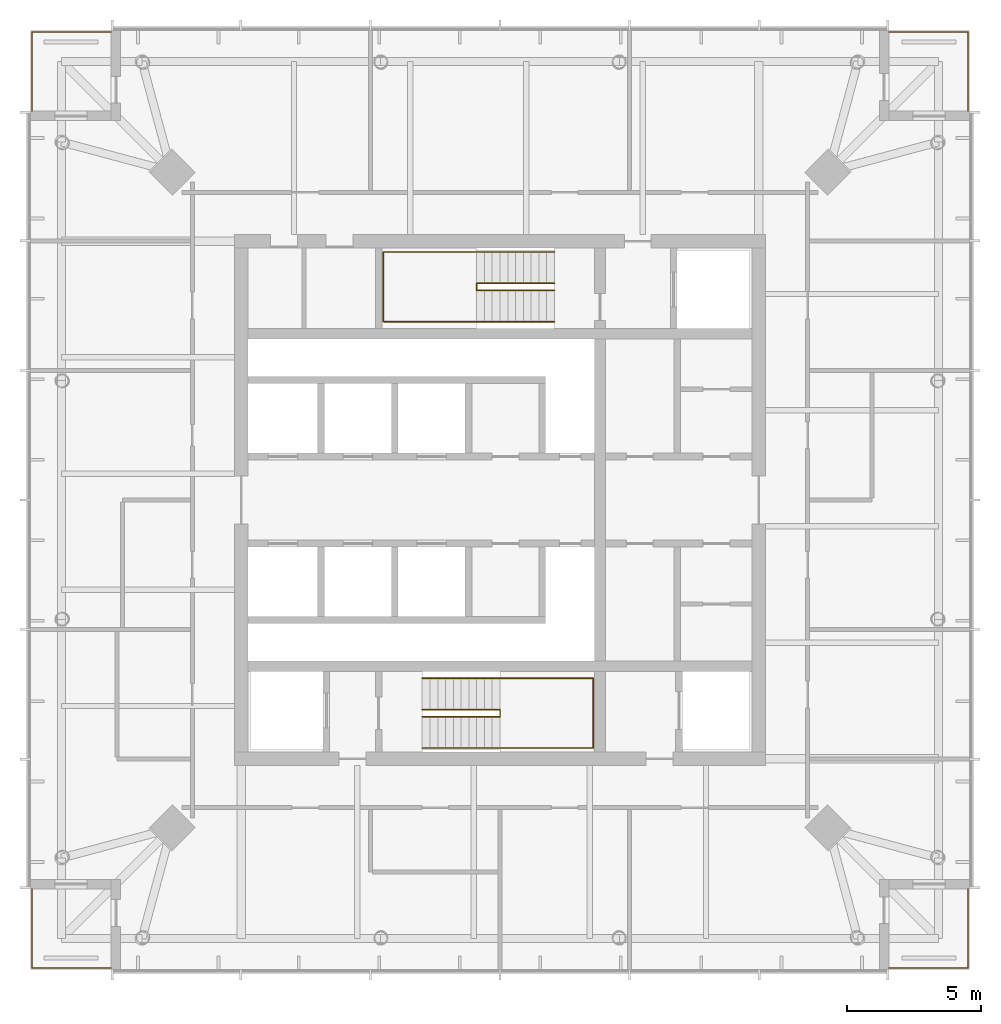
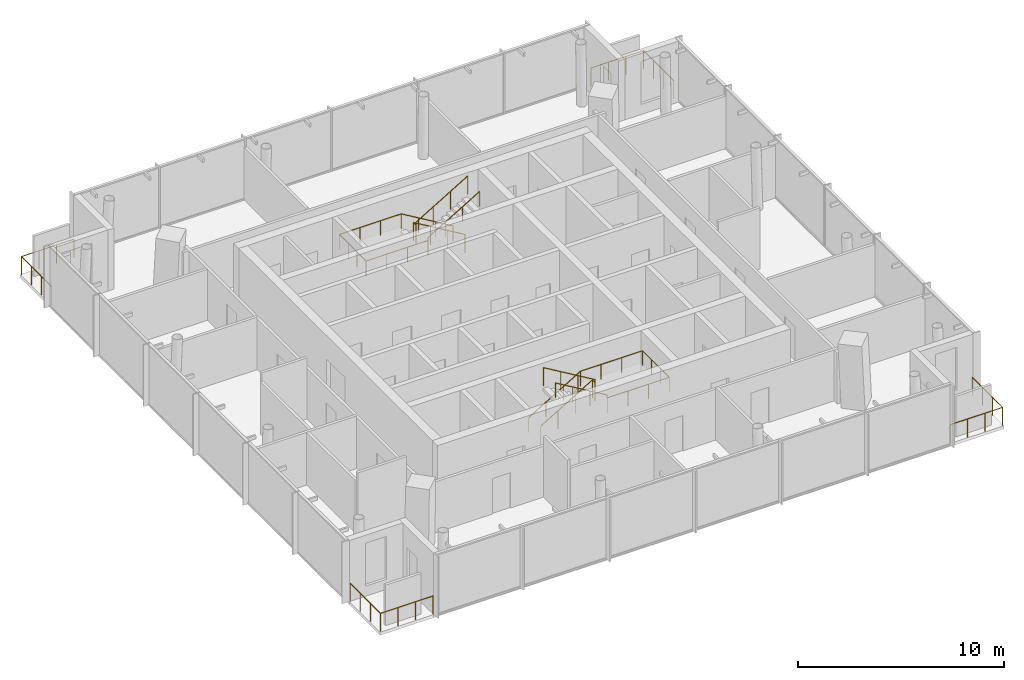
# One storey, part 7 of 7: 8 railings.
"""IFC4 building model written with IfcOpenShell, lengths in metres."""

from ifc_helpers import new_model, si_unit, direction, frame, origin, origin_2d, place, context, subcontext, project, spatial, circle, extrude, material, type_object, element, save


model = new_model("IFC4")

# Units and contexts
model_context = context("Model", 3, precision=1e-05, world=origin(), true_north=direction((0.0, 1.0)))
body_context = subcontext(model_context, "Body", "Model", "MODEL_VIEW")
ifc_project = project(units=[si_unit("LENGTHUNIT", "METRE"), si_unit("AREAUNIT", "SQUARE_METRE"), si_unit("VOLUMEUNIT", "CUBIC_METRE"), si_unit("PLANEANGLEUNIT", "RADIAN"), si_unit("MASSUNIT", "GRAM", prefix="KILO")], contexts=[model_context])

# Site, building, storey
site_placement = place(None, origin())
site = spatial("IfcSite", under=ifc_project, at=site_placement, CompositionType="ELEMENT")
building_placement = place(site_placement, origin())
building = spatial("IfcBuilding", under=site, at=building_placement, Name="Ostroluk Exchange", CompositionType="ELEMENT")
storey_placement = place(building_placement, frame((0.0, 0.0, 260.39990234375)))
storey = spatial("IfcBuildingStorey", under=building, at=storey_placement, Name="L67", CompositionType="ELEMENT", Elevation=260.39990234375)

# Railings
ifc_material_1 = material(Name="Stainless steel", Category="steel")
railing_type_1 = type_object("IfcRailingType", Name="Guard 1100 stainless steel", PredefinedType="GUARDRAIL", material=ifc_material_1)
railing_1_placement = place(storey_placement, frame((59.5, 28.550048828125, 0.0)))
element("IfcRailing", 1, at=railing_1_placement, inside=storey, type_object=railing_type_1, Name="Office tower SE balcony guard L67", PredefinedType="GUARDRAIL", context=body_context, shape_type="SweptSolid", body=[
    extrude(circle(Radius=0.02392578125, at=origin_2d()), frame((0.0, 0.0, 1.076171875), z_axis=(1.0, 0.0, 0.0), x_axis=(0.0, 1.0, 0.0)), (0.0, 0.0, 1.0), 2.949951171875),
    extrude(circle(Radius=0.02392578125, at=origin_2d()), frame((2.949951171875, 0.0, 1.076171875), z_axis=(0.0, 1.0, 0.0), x_axis=(-1.0, 0.0, 0.0)), (0.0, 0.0, 1.0), 2.949951171875),
    extrude(circle(Radius=0.02099609375, at=origin_2d()), origin(), (0.0, 0.0, 1.0), 1.052001953125),
    extrude(circle(Radius=0.02099609375, at=origin_2d()), frame((0.9833984375, 0.0, 0.0)), (0.0, 0.0, 1.0), 1.052001953125),
    extrude(circle(Radius=0.02099609375, at=origin_2d()), frame((1.966552734375, 0.0, 0.0)), (0.0, 0.0, 1.0), 1.052001953125),
    extrude(circle(Radius=0.02099609375, at=origin_2d()), frame((2.949951171875, 0.0, 0.0)), (0.0, 0.0, 1.0), 1.052001953125),
    extrude(circle(Radius=0.02099609375, at=origin_2d()), frame((2.949951171875, 0.9833984375, 0.0)), (0.0, 0.0, 1.0), 1.052001953125),
    extrude(circle(Radius=0.02099609375, at=origin_2d()), frame((2.949951171875, 1.966552734375, 0.0)), (0.0, 0.0, 1.0), 1.052001953125),
    extrude(circle(Radius=0.02099609375, at=origin_2d()), frame((2.949951171875, 2.949951171875, 0.0)), (0.0, 0.0, 1.0), 1.052001953125),
])
railing_2_placement = place(storey_placement, frame((59.5, 63.449951171875, 0.0)))
element("IfcRailing", 2, at=railing_2_placement, inside=storey, type_object=railing_type_1, Name="Office tower NE balcony guard L67", PredefinedType="GUARDRAIL", context=body_context, shape_type="SweptSolid", body=[
    extrude(circle(Radius=0.02392578125, at=origin_2d()), frame((0.0, 0.0, 1.076171875), z_axis=(1.0, 0.0, 0.0), x_axis=(0.0, 1.0, 0.0)), (0.0, 0.0, 1.0), 2.949951171875),
    extrude(circle(Radius=0.02392578125, at=origin_2d()), frame((2.949951171875, 0.0, 1.076171875), z_axis=(0.0, -1.0, 0.0), x_axis=(1.0, 0.0, 0.0)), (0.0, 0.0, 1.0), 2.949951171875),
    extrude(circle(Radius=0.02099609375, at=origin_2d()), origin(), (0.0, 0.0, 1.0), 1.052001953125),
    extrude(circle(Radius=0.02099609375, at=origin_2d()), frame((0.9833984375, 0.0, 0.0)), (0.0, 0.0, 1.0), 1.052001953125),
    extrude(circle(Radius=0.02099609375, at=origin_2d()), frame((1.966552734375, 0.0, 0.0)), (0.0, 0.0, 1.0), 1.052001953125),
    extrude(circle(Radius=0.02099609375, at=origin_2d()), frame((2.949951171875, 0.0, 0.0)), (0.0, 0.0, 1.0), 1.052001953125),
    extrude(circle(Radius=0.02099609375, at=origin_2d()), frame((2.949951171875, -0.9833984375, 0.0)), (0.0, 0.0, 1.0), 1.052001953125),
    extrude(circle(Radius=0.02099609375, at=origin_2d()), frame((2.949951171875, -1.966552734375, 0.0)), (0.0, 0.0, 1.0), 1.052001953125),
    extrude(circle(Radius=0.02099609375, at=origin_2d()), frame((2.949951171875, -2.949951171875, 0.0)), (0.0, 0.0, 1.0), 1.052001953125),
])
railing_3_placement = place(storey_placement, frame((30.5, 63.449951171875, 0.0)))
element("IfcRailing", 3, at=railing_3_placement, inside=storey, type_object=railing_type_1, Name="Office tower NW balcony guard L67", PredefinedType="GUARDRAIL", context=body_context, shape_type="SweptSolid", body=[
    extrude(circle(Radius=0.02392578125, at=origin_2d()), frame((0.0, 0.0, 1.076171875), z_axis=(-1.0, 0.0, 0.0), x_axis=(0.0, -1.0, 0.0)), (0.0, 0.0, 1.0), 2.949951171875),
    extrude(circle(Radius=0.02392578125, at=origin_2d()), frame((-2.949951171875, 0.0, 1.076171875), z_axis=(0.0, -1.0, 0.0), x_axis=(1.0, 0.0, 0.0)), (0.0, 0.0, 1.0), 2.949951171875),
    extrude(circle(Radius=0.02099609375, at=origin_2d()), origin(), (0.0, 0.0, 1.0), 1.052001953125),
    extrude(circle(Radius=0.02099609375, at=origin_2d()), frame((-0.9833984375, 0.0, 0.0)), (0.0, 0.0, 1.0), 1.052001953125),
    extrude(circle(Radius=0.02099609375, at=origin_2d()), frame((-1.966552734375, 0.0, 0.0)), (0.0, 0.0, 1.0), 1.052001953125),
    extrude(circle(Radius=0.02099609375, at=origin_2d()), frame((-2.949951171875, 0.0, 0.0)), (0.0, 0.0, 1.0), 1.052001953125),
    extrude(circle(Radius=0.02099609375, at=origin_2d()), frame((-2.949951171875, -0.9833984375, 0.0)), (0.0, 0.0, 1.0), 1.052001953125),
    extrude(circle(Radius=0.02099609375, at=origin_2d()), frame((-2.949951171875, -1.966552734375, 0.0)), (0.0, 0.0, 1.0), 1.052001953125),
    extrude(circle(Radius=0.02099609375, at=origin_2d()), frame((-2.949951171875, -2.949951171875, 0.0)), (0.0, 0.0, 1.0), 1.052001953125),
])
railing_4_placement = place(storey_placement, frame((30.5, 28.550048828125, 0.0)))
element("IfcRailing", 4, at=railing_4_placement, inside=storey, type_object=railing_type_1, Name="Office tower SW balcony guard L67", PredefinedType="GUARDRAIL", context=body_context, shape_type="SweptSolid", body=[
    extrude(circle(Radius=0.02392578125, at=origin_2d()), frame((0.0, 0.0, 1.076171875), z_axis=(-1.0, 0.0, 0.0), x_axis=(0.0, -1.0, 0.0)), (0.0, 0.0, 1.0), 2.949951171875),
    extrude(circle(Radius=0.02392578125, at=origin_2d()), frame((-2.949951171875, 0.0, 1.076171875), z_axis=(0.0, 1.0, 0.0), x_axis=(-1.0, 0.0, 0.0)), (0.0, 0.0, 1.0), 2.949951171875),
    extrude(circle(Radius=0.02099609375, at=origin_2d()), origin(), (0.0, 0.0, 1.0), 1.052001953125),
    extrude(circle(Radius=0.02099609375, at=origin_2d()), frame((-0.9833984375, 0.0, 0.0)), (0.0, 0.0, 1.0), 1.052001953125),
    extrude(circle(Radius=0.02099609375, at=origin_2d()), frame((-1.966552734375, 0.0, 0.0)), (0.0, 0.0, 1.0), 1.052001953125),
    extrude(circle(Radius=0.02099609375, at=origin_2d()), frame((-2.949951171875, 0.0, 0.0)), (0.0, 0.0, 1.0), 1.052001953125),
    extrude(circle(Radius=0.02099609375, at=origin_2d()), frame((-2.949951171875, 0.9833984375, 0.0)), (0.0, 0.0, 1.0), 1.052001953125),
    extrude(circle(Radius=0.02099609375, at=origin_2d()), frame((-2.949951171875, 1.966552734375, 0.0)), (0.0, 0.0, 1.0), 1.052001953125),
    extrude(circle(Radius=0.02099609375, at=origin_2d()), frame((-2.949951171875, 2.949951171875, 0.0)), (0.0, 0.0, 1.0), 1.052001953125),
])
ifc_material_2 = material(Name="Steel S355", Category="steel")
railing_type_2 = type_object("IfcRailingType", Name="Stair guard 1100", PredefinedType="GUARDRAIL", material=ifc_material_2)
railing_5_placement = place(storey_placement, frame((42.10009765625, 38.179931640625, 0.1728515625)))
element("IfcRailing", 5, at=railing_5_placement, inside=storey, type_object=railing_type_2, Name="Stair T1-S1 guard L67", PredefinedType="GUARDRAIL", context=body_context, shape_type="SweptSolid", body=[
    extrude(circle(Radius=0.02392578125, at=origin_2d()), frame((0.0, 0.0, 1.076171875), z_axis=(0.859141464434, 0.0, 0.511738159696), x_axis=(0.0, 1.0, 0.0)), (0.0, 0.0, 1.0), 3.375244140625),
    extrude(circle(Radius=0.02392578125, at=origin_2d()), frame((2.89990234375, 0.0, 2.80322265625), z_axis=(0.0, -1.0, 0.0), x_axis=(1.0, 0.0, 0.0)), (0.0, 0.0, 1.0), 0.260009765625),
    extrude(circle(Radius=0.02392578125, at=origin_2d()), frame((2.89990234375, -0.260009765625, 2.80322265625), z_axis=(0.0, 0.0, 1.0), x_axis=(1.0, 0.0, 0.0)), (0.0, 0.0, 1.0), 0.172607421875),
    extrude(circle(Radius=0.02392578125, at=origin_2d()), frame((2.89990234375, -0.260009765625, 2.97607421875), z_axis=(-0.859141464434, 0.0, 0.511738159696), x_axis=(0.0, -1.0, 0.0)), (0.0, 0.0, 1.0), 3.375244140625),
    extrude(circle(Radius=0.02099609375, at=origin_2d()), origin(), (0.0, 0.0, 1.0), 1.052001953125),
    extrude(circle(Radius=0.02099609375, at=origin_2d()), frame((0.966552734375, 0.0, 0.57568359375)), (0.0, 0.0, 1.0), 1.052001953125),
    extrude(circle(Radius=0.02099609375, at=origin_2d()), frame((1.933349609375, 0.0, 1.151611328125)), (0.0, 0.0, 1.0), 1.052001953125),
    extrude(circle(Radius=0.02099609375, at=origin_2d()), frame((2.89990234375, 0.0, 1.727294921875)), (0.0, 0.0, 1.0), 1.052001953125),
    extrude(circle(Radius=0.02099609375, at=origin_2d()), frame((2.89990234375, -0.260009765625, 1.727294921875)), (0.0, 0.0, 1.0), 1.052001953125),
    extrude(circle(Radius=0.02099609375, at=origin_2d()), frame((2.89990234375, -0.260009765625, 1.89990234375)), (0.0, 0.0, 1.0), 1.052001953125),
    extrude(circle(Radius=0.02099609375, at=origin_2d()), frame((1.933349609375, -0.260009765625, 2.4755859375)), (0.0, 0.0, 1.0), 1.052001953125),
    extrude(circle(Radius=0.02099609375, at=origin_2d()), frame((0.966552734375, -0.260009765625, 3.051513671875)), (0.0, 0.0, 1.0), 1.052001953125),
    extrude(circle(Radius=0.02099609375, at=origin_2d()), frame((0.0, -0.260009765625, 3.627197265625)), (0.0, 0.0, 1.0), 1.052001953125),
])
railing_6_placement = place(storey_placement, frame((47.030029296875, 54.080078125, 0.1728515625)))
element("IfcRailing", 6, at=railing_6_placement, inside=storey, type_object=railing_type_2, Name="Stair T1-S2 guard L67", PredefinedType="GUARDRAIL", context=body_context, shape_type="SweptSolid", body=[
    extrude(circle(Radius=0.02392578125, at=origin_2d()), frame((0.0, 0.0, 1.076171875), z_axis=(-0.859160404282, 0.0, 0.51170636083), x_axis=(0.0, -1.0, 0.0)), (0.0, 0.0, 1.0), 3.37548828125),
    extrude(circle(Radius=0.02392578125, at=origin_2d()), frame((-2.900146484375, 0.0, 2.80322265625), z_axis=(0.0, -1.0, 0.0), x_axis=(1.0, 0.0, 0.0)), (0.0, 0.0, 1.0), 0.260009765625),
    extrude(circle(Radius=0.02392578125, at=origin_2d()), frame((-2.900146484375, -0.260009765625, 2.80322265625), z_axis=(0.0, 0.0, 1.0), x_axis=(1.0, 0.0, 0.0)), (0.0, 0.0, 1.0), 0.172607421875),
    extrude(circle(Radius=0.02392578125, at=origin_2d()), frame((-2.900146484375, -0.260009765625, 2.97607421875), z_axis=(0.859160404282, 0.0, 0.51170636083), x_axis=(0.0, 1.0, 0.0)), (0.0, 0.0, 1.0), 3.37548828125),
    extrude(circle(Radius=0.02099609375, at=origin_2d()), origin(), (0.0, 0.0, 1.0), 1.052001953125),
    extrude(circle(Radius=0.02099609375, at=origin_2d()), frame((-0.966796875, 0.0, 0.57568359375)), (0.0, 0.0, 1.0), 1.052001953125),
    extrude(circle(Radius=0.02099609375, at=origin_2d()), frame((-1.933349609375, 0.0, 1.151611328125)), (0.0, 0.0, 1.0), 1.052001953125),
    extrude(circle(Radius=0.02099609375, at=origin_2d()), frame((-2.900146484375, 0.0, 1.727294921875)), (0.0, 0.0, 1.0), 1.052001953125),
    extrude(circle(Radius=0.02099609375, at=origin_2d()), frame((-2.900146484375, -0.260009765625, 1.727294921875)), (0.0, 0.0, 1.0), 1.052001953125),
    extrude(circle(Radius=0.02099609375, at=origin_2d()), frame((-2.900146484375, -0.260009765625, 1.89990234375)), (0.0, 0.0, 1.0), 1.052001953125),
    extrude(circle(Radius=0.02099609375, at=origin_2d()), frame((-1.933349609375, -0.260009765625, 2.4755859375)), (0.0, 0.0, 1.0), 1.052001953125),
    extrude(circle(Radius=0.02099609375, at=origin_2d()), frame((-0.966796875, -0.260009765625, 3.051513671875)), (0.0, 0.0, 1.0), 1.052001953125),
    extrude(circle(Radius=0.02099609375, at=origin_2d()), frame((0.0, -0.260009765625, 3.627197265625)), (0.0, 0.0, 1.0), 1.052001953125),
])
ifc_material_3 = material(Name="Stainless steel", Category="steel")
railing_type_3 = type_object("IfcRailingType", Name="Stair handrail 900", PredefinedType="HANDRAIL", material=ifc_material_3)
railing_7_placement = place(storey_placement, frame((42.10009765625, 39.35009765625, 0.1728515625)))
element("IfcRailing", 7, at=railing_7_placement, inside=storey, type_object=railing_type_3, Name="Stair T1-S1 handrail L67", PredefinedType="HANDRAIL", context=body_context, shape_type="SweptSolid", body=[
    extrude(circle(Radius=0.02392578125, at=origin_2d()), frame((0.0, 0.0, 0.8759765625), z_axis=(0.859141464434, 0.0, 0.511738159696), x_axis=(0.0, 1.0, 0.0)), (0.0, 0.0, 1.0), 3.375244140625),
    extrude(circle(Radius=0.02392578125, at=origin_2d()), frame((2.89990234375, 0.0, 2.60302734375), z_axis=(1.0, 0.0, 0.0), x_axis=(0.0, 1.0, 0.0)), (0.0, 0.0, 1.0), 3.47998046875),
    extrude(circle(Radius=0.02392578125, at=origin_2d()), frame((6.3798828125, 0.0, 2.60302734375), z_axis=(0.0, -1.0, 0.0), x_axis=(1.0, 0.0, 0.0)), (0.0, 0.0, 1.0), 2.60009765625),
    extrude(circle(Radius=0.02392578125, at=origin_2d()), frame((6.3798828125, -2.60009765625, 2.60302734375), z_axis=(-1.0, 0.0, 0.0), x_axis=(0.0, -1.0, 0.0)), (0.0, 0.0, 1.0), 3.47998046875),
    extrude(circle(Radius=0.02392578125, at=origin_2d()), frame((2.89990234375, -2.60009765625, 2.60302734375), z_axis=(0.0, 0.0, 1.0), x_axis=(1.0, 0.0, 0.0)), (0.0, 0.0, 1.0), 0.172607421875),
    extrude(circle(Radius=0.02392578125, at=origin_2d()), frame((2.89990234375, -2.60009765625, 2.77587890625), z_axis=(-0.859141464434, 0.0, 0.511738159696), x_axis=(0.0, -1.0, 0.0)), (0.0, 0.0, 1.0), 3.375244140625),
    extrude(circle(Radius=0.02099609375, at=origin_2d()), origin(), (0.0, 0.0, 1.0), 0.851806640625),
    extrude(circle(Radius=0.02099609375, at=origin_2d()), frame((0.966552734375, 0.0, 0.57568359375)), (0.0, 0.0, 1.0), 0.851806640625),
    extrude(circle(Radius=0.02099609375, at=origin_2d()), frame((1.933349609375, 0.0, 1.151611328125)), (0.0, 0.0, 1.0), 0.851806640625),
    extrude(circle(Radius=0.02099609375, at=origin_2d()), frame((2.89990234375, 0.0, 1.727294921875)), (0.0, 0.0, 1.0), 0.851806640625),
    extrude(circle(Radius=0.02099609375, at=origin_2d()), frame((4.059814453125, 0.0, 1.727294921875)), (0.0, 0.0, 1.0), 0.851806640625),
    extrude(circle(Radius=0.02099609375, at=origin_2d()), frame((5.219970703125, 0.0, 1.727294921875)), (0.0, 0.0, 1.0), 0.851806640625),
    extrude(circle(Radius=0.02099609375, at=origin_2d()), frame((6.3798828125, 0.0, 1.727294921875)), (0.0, 0.0, 1.0), 0.851806640625),
    extrude(circle(Radius=0.02099609375, at=origin_2d()), frame((6.3798828125, -0.86669921875, 1.727294921875)), (0.0, 0.0, 1.0), 0.851806640625),
    extrude(circle(Radius=0.02099609375, at=origin_2d()), frame((6.3798828125, -1.7333984375, 1.727294921875)), (0.0, 0.0, 1.0), 0.851806640625),
    extrude(circle(Radius=0.02099609375, at=origin_2d()), frame((6.3798828125, -2.60009765625, 1.727294921875)), (0.0, 0.0, 1.0), 0.851806640625),
    extrude(circle(Radius=0.02099609375, at=origin_2d()), frame((5.219970703125, -2.60009765625, 1.727294921875)), (0.0, 0.0, 1.0), 0.851806640625),
    extrude(circle(Radius=0.02099609375, at=origin_2d()), frame((4.059814453125, -2.60009765625, 1.727294921875)), (0.0, 0.0, 1.0), 0.851806640625),
    extrude(circle(Radius=0.02099609375, at=origin_2d()), frame((2.89990234375, -2.60009765625, 1.727294921875)), (0.0, 0.0, 1.0), 0.851806640625),
    extrude(circle(Radius=0.02099609375, at=origin_2d()), frame((2.89990234375, -2.60009765625, 1.89990234375)), (0.0, 0.0, 1.0), 0.851806640625),
    extrude(circle(Radius=0.02099609375, at=origin_2d()), frame((1.933349609375, -2.60009765625, 2.4755859375)), (0.0, 0.0, 1.0), 0.851806640625),
    extrude(circle(Radius=0.02099609375, at=origin_2d()), frame((0.966552734375, -2.60009765625, 3.051513671875)), (0.0, 0.0, 1.0), 0.851806640625),
    extrude(circle(Radius=0.02099609375, at=origin_2d()), frame((0.0, -2.60009765625, 3.627197265625)), (0.0, 0.0, 1.0), 0.851806640625),
])
railing_8_placement = place(storey_placement, frame((47.030029296875, 55.25, 0.1728515625)))
element("IfcRailing", 8, at=railing_8_placement, inside=storey, type_object=railing_type_3, Name="Stair T1-S2 handrail L67", PredefinedType="HANDRAIL", context=body_context, shape_type="SweptSolid", body=[
    extrude(circle(Radius=0.02392578125, at=origin_2d()), frame((0.0, 0.0, 0.8759765625), z_axis=(-0.859160404282, 0.0, 0.51170636083), x_axis=(0.0, -1.0, 0.0)), (0.0, 0.0, 1.0), 3.37548828125),
    extrude(circle(Radius=0.02392578125, at=origin_2d()), frame((-2.900146484375, 0.0, 2.60302734375), z_axis=(-1.0, 0.0, 0.0), x_axis=(0.0, -1.0, 0.0)), (0.0, 0.0, 1.0), 3.47998046875),
    extrude(circle(Radius=0.02392578125, at=origin_2d()), frame((-6.380126953125, 0.0, 2.60302734375), z_axis=(0.0, -1.0, 0.0), x_axis=(1.0, 0.0, 0.0)), (0.0, 0.0, 1.0), 2.60009765625),
    extrude(circle(Radius=0.02392578125, at=origin_2d()), frame((-6.380126953125, -2.60009765625, 2.60302734375), z_axis=(1.0, 0.0, 0.0), x_axis=(0.0, 1.0, 0.0)), (0.0, 0.0, 1.0), 3.47998046875),
    extrude(circle(Radius=0.02392578125, at=origin_2d()), frame((-2.900146484375, -2.60009765625, 2.60302734375), z_axis=(0.0, 0.0, 1.0), x_axis=(1.0, 0.0, 0.0)), (0.0, 0.0, 1.0), 0.172607421875),
    extrude(circle(Radius=0.02392578125, at=origin_2d()), frame((-2.900146484375, -2.60009765625, 2.77587890625), z_axis=(0.859160404282, 0.0, 0.51170636083), x_axis=(0.0, 1.0, 0.0)), (0.0, 0.0, 1.0), 3.37548828125),
    extrude(circle(Radius=0.02099609375, at=origin_2d()), origin(), (0.0, 0.0, 1.0), 0.851806640625),
    extrude(circle(Radius=0.02099609375, at=origin_2d()), frame((-0.966796875, 0.0, 0.57568359375)), (0.0, 0.0, 1.0), 0.851806640625),
    extrude(circle(Radius=0.02099609375, at=origin_2d()), frame((-1.933349609375, 0.0, 1.151611328125)), (0.0, 0.0, 1.0), 0.851806640625),
    extrude(circle(Radius=0.02099609375, at=origin_2d()), frame((-2.900146484375, 0.0, 1.727294921875)), (0.0, 0.0, 1.0), 0.851806640625),
    extrude(circle(Radius=0.02099609375, at=origin_2d()), frame((-4.06005859375, 0.0, 1.727294921875)), (0.0, 0.0, 1.0), 0.851806640625),
    extrude(circle(Radius=0.02099609375, at=origin_2d()), frame((-5.22021484375, 0.0, 1.727294921875)), (0.0, 0.0, 1.0), 0.851806640625),
    extrude(circle(Radius=0.02099609375, at=origin_2d()), frame((-6.380126953125, 0.0, 1.727294921875)), (0.0, 0.0, 1.0), 0.851806640625),
    extrude(circle(Radius=0.02099609375, at=origin_2d()), frame((-6.380126953125, -0.86669921875, 1.727294921875)), (0.0, 0.0, 1.0), 0.851806640625),
    extrude(circle(Radius=0.02099609375, at=origin_2d()), frame((-6.380126953125, -1.7333984375, 1.727294921875)), (0.0, 0.0, 1.0), 0.851806640625),
    extrude(circle(Radius=0.02099609375, at=origin_2d()), frame((-6.380126953125, -2.60009765625, 1.727294921875)), (0.0, 0.0, 1.0), 0.851806640625),
    extrude(circle(Radius=0.02099609375, at=origin_2d()), frame((-5.22021484375, -2.60009765625, 1.727294921875)), (0.0, 0.0, 1.0), 0.851806640625),
    extrude(circle(Radius=0.02099609375, at=origin_2d()), frame((-4.06005859375, -2.60009765625, 1.727294921875)), (0.0, 0.0, 1.0), 0.851806640625),
    extrude(circle(Radius=0.02099609375, at=origin_2d()), frame((-2.900146484375, -2.60009765625, 1.727294921875)), (0.0, 0.0, 1.0), 0.851806640625),
    extrude(circle(Radius=0.02099609375, at=origin_2d()), frame((-2.900146484375, -2.60009765625, 1.89990234375)), (0.0, 0.0, 1.0), 0.851806640625),
    extrude(circle(Radius=0.02099609375, at=origin_2d()), frame((-1.933349609375, -2.60009765625, 2.4755859375)), (0.0, 0.0, 1.0), 0.851806640625),
    extrude(circle(Radius=0.02099609375, at=origin_2d()), frame((-0.966796875, -2.60009765625, 3.051513671875)), (0.0, 0.0, 1.0), 0.851806640625),
    extrude(circle(Radius=0.02099609375, at=origin_2d()), frame((0.0, -2.60009765625, 3.627197265625)), (0.0, 0.0, 1.0), 0.851806640625),
])

save(model, "model.ifc")
